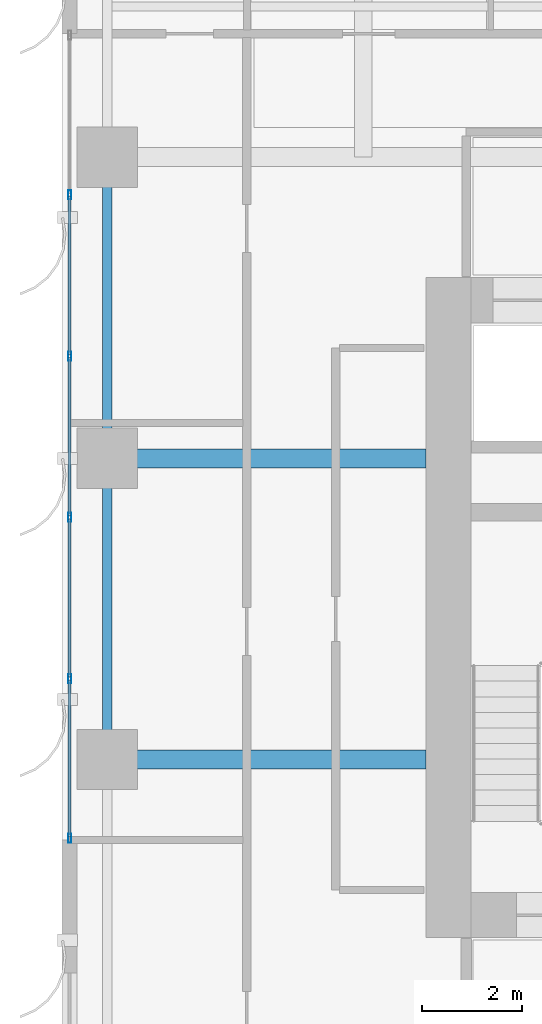
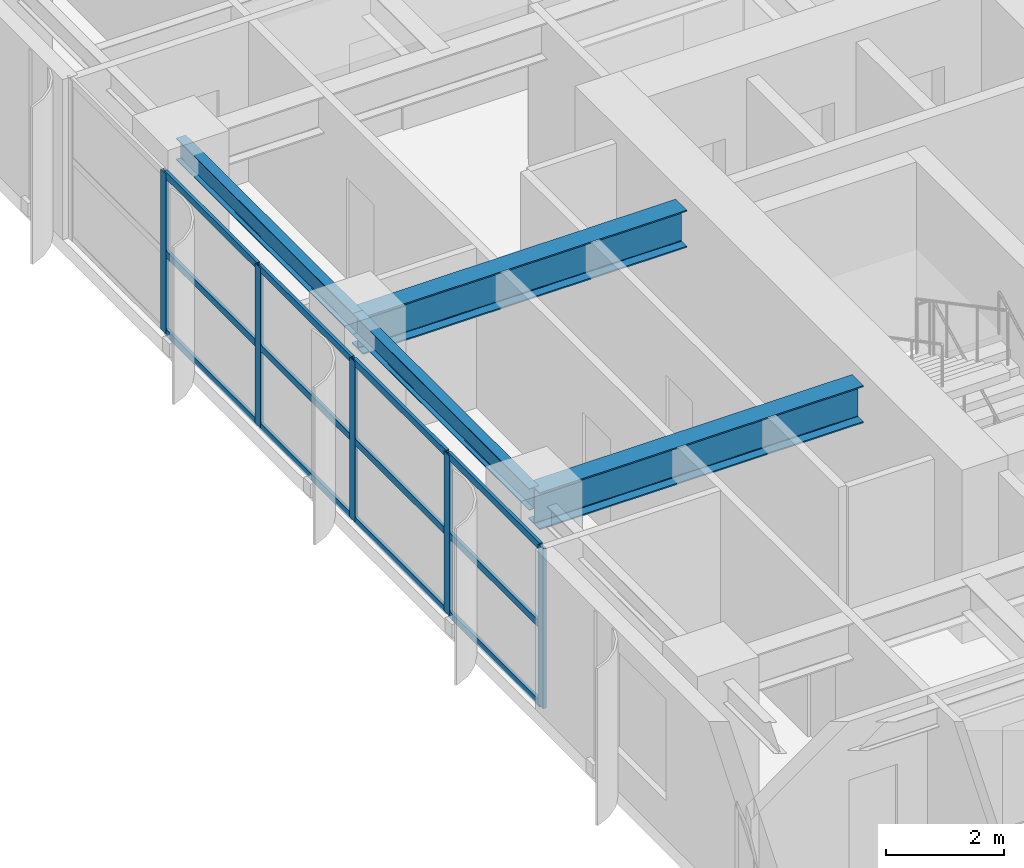
# One storey, part 5 of 23: 17 members, 4 beams, 1 element without a shape of its own.
"""IFC4 building model written with IfcOpenShell, lengths in metres."""

from ifc_helpers import new_model, si_unit, direction, frame, origin, origin_2d, place, context, subcontext, project, spatial, hollow_rectangle, i_section, extrude, source, transform, mapped, material, layer, layer_set, material_profile, profile_set, type_object, element, aggregate, save


model = new_model("IFC4")

# Units and contexts
model_context = context("Model", 3, precision=1e-05, world=origin(), true_north=direction((0.0, 1.0)))
body_context = subcontext(model_context, "Body", "Model", "MODEL_VIEW")
ifc_project = project(units=[si_unit("LENGTHUNIT", "METRE"), si_unit("AREAUNIT", "SQUARE_METRE"), si_unit("VOLUMEUNIT", "CUBIC_METRE"), si_unit("PLANEANGLEUNIT", "RADIAN"), si_unit("MASSUNIT", "GRAM", prefix="KILO")], contexts=[model_context])

# Site, building, storey
site_placement = place(None, origin())
site = spatial("IfcSite", under=ifc_project, at=site_placement, CompositionType="ELEMENT")
building_placement = place(site_placement, origin())
building = spatial("IfcBuilding", under=site, at=building_placement, Name="Khoralis Quay Care Tower", CompositionType="ELEMENT")
storey_placement = place(building_placement, frame((0.0, 0.0, 33.300048828125)))
storey = spatial("IfcBuildingStorey", under=building, at=storey_placement, Name="L08", CompositionType="ELEMENT", Elevation=33.300048828125)

# Beams
ifc_material_1 = material(Name="Steel S355", Category="steel")
ifc_material_profile_1 = material_profile(ifc_material_1, i_section(OverallWidth=0.18994140625, OverallDepth=0.449951171875, WebThickness=0.009521484375, FlangeThickness=0.0146484375, FilletRadius=0.02099609375, at=origin_2d()), Name="Steel S355")
ifc_profile_set_1 = profile_set([ifc_material_profile_1], Name="Steel S355")
beam_type_1 = type_object("IfcBeamType", Name="BM-IPE450", PredefinedType="SPANDREL", material=ifc_profile_set_1)
shared_shape_1 = source(origin(), body_context, "Body", "SweptSolid", [
    extrude(i_section(OverallWidth=0.18994140625, OverallDepth=0.449951171875, WebThickness=0.009521484375, FlangeThickness=0.0146484375, FilletRadius=0.02099609375, at=origin_2d()), origin(), (0.0, 0.0, 1.0), 6.0),
])
for number, where, z_axis, x_axis, name in (
    (1, (0.89990234375, 18.0, 3.094970703125), (0.0, 1.0, 0.0), (-1.0, 0.0, 0.0), "BM-TSP-L08-15"),
    (2, (0.89990234375, 24.0, 3.094970703125), (0.0, 1.0, 0.0), (-1.0, 0.0, 0.0), "BM-TSP-L08-16"),
):
    element("IfcBeam", number, at=place(storey_placement, frame(where, z_axis=z_axis, x_axis=x_axis)), inside=storey, type_object=beam_type_1, Name=name, PredefinedType="SPANDREL", context=body_context, shape_type="MappedRepresentation", body=[
        mapped(shared_shape_1, transform((0.0, 0.0, 0.0), scale=1.0)),
    ])
ifc_material_profile_2 = material_profile(ifc_material_1, i_section(OverallWidth=0.381103515625, OverallDepth=0.77294921875, WebThickness=0.0166015625, FlangeThickness=0.027587890625, FilletRadius=0.02197265625, at=origin_2d()), Name="Steel S355")
ifc_profile_set_2 = profile_set([ifc_material_profile_2], Name="Steel S355")
beam_type_2 = type_object("IfcBeamType", Name="BM-W760X257", PredefinedType="BEAM", material=ifc_profile_set_2)
shared_shape_2 = source(origin(), body_context, "Body", "SweptSolid", [
    extrude(i_section(OverallWidth=0.381103515625, OverallDepth=0.77294921875, WebThickness=0.0166015625, FlangeThickness=0.027587890625, FilletRadius=0.02197265625, at=origin_2d()), origin(), (0.0, 0.0, 1.0), 6.35205078125),
])
for number, where, z_axis, x_axis, name in (
    (3, (0.89990234375, 18.0, 2.933349609375), (1.0, 0.0, 0.0), (0.0, 1.0, 0.0), "BM-TGXW-L08-180"),
    (4, (0.89990234375, 24.0, 2.933349609375), (1.0, 0.0, 0.0), (0.0, 1.0, 0.0), "BM-TGXW-L08-240"),
):
    element("IfcBeam", number, at=place(storey_placement, frame(where, z_axis=z_axis, x_axis=x_axis)), inside=storey, type_object=beam_type_2, Name=name, PredefinedType="BEAM", context=body_context, shape_type="MappedRepresentation", body=[
        mapped(shared_shape_2, transform((0.0, 0.0, 0.0), scale=1.0)),
    ])

# Curtain wall, members
ifc_material_2 = material(Name="Pale anodised aluminium", Category="aluminium")
ifc_layer = layer(ifc_material_2, 0.179931640625)
ifc_layer_set = layer_set([ifc_layer], Name="Pale anodised aluminium")
curtain_wall_type = type_object("IfcCurtainWallType", Name="CW-SYS-Z1", PredefinedType="NOTDEFINED", material=ifc_layer_set)
curtain_wall_placement = place(storey_placement, origin())
curtain_wall = element("IfcCurtainWall", 5, at=curtain_wall_placement, inside=storey, type_object=curtain_wall_type, Name="L08 Unitised Curtain Wall CW-L08-P1-E15", PredefinedType="NOTDEFINED")
ifc_material_profile_3 = material_profile(ifc_material_2, hollow_rectangle(XDim=0.06494140625, YDim=0.179931640625, WallThickness=0.00390625, at=origin_2d()), Name="Pale anodised aluminium")
ifc_profile_set_3 = profile_set([ifc_material_profile_3], Name="Pale anodised aluminium")
member_type_1 = type_object("IfcMemberType", Name="CW-MUL-180", PredefinedType="MULLION", material=ifc_profile_set_3)
shared_shape_3 = source(origin(), body_context, "Body", "SweptSolid", [
    extrude(hollow_rectangle(XDim=0.06494140625, YDim=0.179931640625, WallThickness=0.00390625, at=origin_2d()), origin(), (0.0, 0.0, 1.0), 3.320068359375),
])
member_1_placement = place(storey_placement, frame((0.14990234375, 29.248046875, 0.0), z_axis=(0.0, 0.0, 1.0), x_axis=(1.0, 0.0, 0.0)))
member_1 = element("IfcMember", 6, at=member_1_placement, type_object=member_type_1, Name="CW1 mullion 2", PredefinedType="MULLION", context=body_context, shape_type="MappedRepresentation", body=[
    mapped(shared_shape_3, transform((0.0, 0.0, 0.0), scale=1.0)),
])
member_2_placement = place(storey_placement, frame((0.14990234375, 26.035888671875, 0.0), z_axis=(0.0, 0.0, 1.0), x_axis=(1.0, 0.0, 0.0)))
member_2 = element("IfcMember", 7, at=member_2_placement, type_object=member_type_1, Name="CW1 mullion 3", PredefinedType="MULLION", context=body_context, shape_type="MappedRepresentation", body=[
    mapped(shared_shape_3, transform((0.0, 0.0, 0.0), scale=1.0)),
])
member_3_placement = place(storey_placement, frame((0.14990234375, 22.823974609375, 0.0), z_axis=(0.0, 0.0, 1.0), x_axis=(1.0, 0.0, 0.0)))
member_3 = element("IfcMember", 8, at=member_3_placement, type_object=member_type_1, Name="CW1 mullion 4", PredefinedType="MULLION", context=body_context, shape_type="MappedRepresentation", body=[
    mapped(shared_shape_3, transform((0.0, 0.0, 0.0), scale=1.0)),
])
member_4_placement = place(storey_placement, frame((0.14990234375, 19.612060546875, 0.0), z_axis=(0.0, 0.0, 1.0), x_axis=(1.0, 0.0, 0.0)))
member_4 = element("IfcMember", 9, at=member_4_placement, type_object=member_type_1, Name="CW1 mullion 5", PredefinedType="MULLION", context=body_context, shape_type="MappedRepresentation", body=[
    mapped(shared_shape_3, transform((0.0, 0.0, 0.0), scale=1.0)),
])
member_5_placement = place(storey_placement, frame((0.14990234375, 16.429931640625, 0.0), z_axis=(0.0, 0.0, 1.0), x_axis=(1.0, 0.0, 0.0)))
member_5 = element("IfcMember", 10, at=member_5_placement, type_object=member_type_1, Name="CW1 mullion 6", PredefinedType="MULLION", context=body_context, shape_type="MappedRepresentation", body=[
    mapped(shared_shape_3, transform((0.0, 0.0, 0.0), scale=1.0)),
])
ifc_material_profile_4 = material_profile(ifc_material_2, hollow_rectangle(XDim=0.06005859375, YDim=0.139892578125, WallThickness=0.00390625, at=origin_2d()), Name="Pale anodised aluminium")
ifc_profile_set_4 = profile_set([ifc_material_profile_4], Name="Pale anodised aluminium")
member_type_2 = type_object("IfcMemberType", Name="CW-TRN-140", PredefinedType="USERDEFINED", material=ifc_profile_set_4)
shared_shape_4 = source(origin(), body_context, "Body", "SweptSolid", [
    extrude(hollow_rectangle(XDim=0.06005859375, YDim=0.139892578125, WallThickness=0.00390625, at=origin_2d()), origin(), (0.0, 0.0, 1.0), 3.1220703125),
])
member_6_placement = place(storey_placement, frame((0.14990234375, 19.58203125, 0.030029296875), z_axis=(0.0, -1.0, 0.0), x_axis=(1.0, 0.0, 0.0)))
member_6 = element("IfcMember", 11, at=member_6_placement, type_object=member_type_2, Name="CW1 transom 5.1", ObjectType="TRANSOM", PredefinedType="USERDEFINED", context=body_context, shape_type="MappedRepresentation", body=[
    mapped(shared_shape_4, transform((0.0, 0.0, 0.0), scale=1.0)),
])
member_7_placement = place(storey_placement, frame((0.14990234375, 19.58203125, 1.659912109375), z_axis=(0.0, -1.0, 0.0), x_axis=(1.0, 0.0, 0.0)))
member_7 = element("IfcMember", 12, at=member_7_placement, type_object=member_type_2, Name="CW1 transom 5.2", ObjectType="TRANSOM", PredefinedType="USERDEFINED", context=body_context, shape_type="MappedRepresentation", body=[
    mapped(shared_shape_4, transform((0.0, 0.0, 0.0), scale=1.0)),
])
member_8_placement = place(storey_placement, frame((0.14990234375, 19.58203125, 3.2900390625), z_axis=(0.0, -1.0, 0.0), x_axis=(1.0, 0.0, 0.0)))
member_8 = element("IfcMember", 13, at=member_8_placement, type_object=member_type_2, Name="CW1 transom 5.3", ObjectType="TRANSOM", PredefinedType="USERDEFINED", context=body_context, shape_type="MappedRepresentation", body=[
    mapped(shared_shape_4, transform((0.0, 0.0, 0.0), scale=1.0)),
])
shared_shape_5 = source(origin(), body_context, "Body", "SweptSolid", [
    extrude(hollow_rectangle(XDim=0.06005859375, YDim=0.139892578125, WallThickness=0.00390625, at=origin_2d()), origin(), (0.0, 0.0, 1.0), 3.15185546875),
])
member_9_placement = place(storey_placement, frame((0.14990234375, 22.7939453125, 0.030029296875), z_axis=(0.0, -1.0, 0.0), x_axis=(1.0, 0.0, 0.0)))
member_9 = element("IfcMember", 14, at=member_9_placement, type_object=member_type_2, Name="CW1 transom 4.1", ObjectType="TRANSOM", PredefinedType="USERDEFINED", context=body_context, shape_type="MappedRepresentation", body=[
    mapped(shared_shape_5, transform((0.0, 0.0, 0.0), scale=1.0)),
])
member_10_placement = place(storey_placement, frame((0.14990234375, 22.7939453125, 1.659912109375), z_axis=(0.0, -1.0, 0.0), x_axis=(1.0, 0.0, 0.0)))
member_10 = element("IfcMember", 15, at=member_10_placement, type_object=member_type_2, Name="CW1 transom 4.2", ObjectType="TRANSOM", PredefinedType="USERDEFINED", context=body_context, shape_type="MappedRepresentation", body=[
    mapped(shared_shape_5, transform((0.0, 0.0, 0.0), scale=1.0)),
])
member_11_placement = place(storey_placement, frame((0.14990234375, 22.7939453125, 3.2900390625), z_axis=(0.0, -1.0, 0.0), x_axis=(1.0, 0.0, 0.0)))
member_11 = element("IfcMember", 16, at=member_11_placement, type_object=member_type_2, Name="CW1 transom 4.3", ObjectType="TRANSOM", PredefinedType="USERDEFINED", context=body_context, shape_type="MappedRepresentation", body=[
    mapped(shared_shape_5, transform((0.0, 0.0, 0.0), scale=1.0)),
])
shared_shape_6 = source(origin(), body_context, "Body", "SweptSolid", [
    extrude(hollow_rectangle(XDim=0.06005859375, YDim=0.139892578125, WallThickness=0.00390625, at=origin_2d()), origin(), (0.0, 0.0, 1.0), 3.152099609375),
])
member_12_placement = place(storey_placement, frame((0.14990234375, 29.218017578125, 0.030029296875), z_axis=(0.0, -1.0, 0.0), x_axis=(1.0, 0.0, 0.0)))
member_12 = element("IfcMember", 17, at=member_12_placement, type_object=member_type_2, Name="CW1 transom 2.1", ObjectType="TRANSOM", PredefinedType="USERDEFINED", context=body_context, shape_type="MappedRepresentation", body=[
    mapped(shared_shape_6, transform((0.0, 0.0, 0.0), scale=1.0)),
])
member_13_placement = place(storey_placement, frame((0.14990234375, 29.218017578125, 1.659912109375), z_axis=(0.0, -1.0, 0.0), x_axis=(1.0, 0.0, 0.0)))
member_13 = element("IfcMember", 18, at=member_13_placement, type_object=member_type_2, Name="CW1 transom 2.2", ObjectType="TRANSOM", PredefinedType="USERDEFINED", context=body_context, shape_type="MappedRepresentation", body=[
    mapped(shared_shape_6, transform((0.0, 0.0, 0.0), scale=1.0)),
])
member_14_placement = place(storey_placement, frame((0.14990234375, 29.218017578125, 3.2900390625), z_axis=(0.0, -1.0, 0.0), x_axis=(1.0, 0.0, 0.0)))
member_14 = element("IfcMember", 19, at=member_14_placement, type_object=member_type_2, Name="CW1 transom 2.3", ObjectType="TRANSOM", PredefinedType="USERDEFINED", context=body_context, shape_type="MappedRepresentation", body=[
    mapped(shared_shape_6, transform((0.0, 0.0, 0.0), scale=1.0)),
])
member_15_placement = place(storey_placement, frame((0.14990234375, 26.006103515625, 0.030029296875), z_axis=(0.0, -1.0, 0.0), x_axis=(1.0, 0.0, 0.0)))
member_15 = element("IfcMember", 20, at=member_15_placement, type_object=member_type_2, Name="CW1 transom 3.1", ObjectType="TRANSOM", PredefinedType="USERDEFINED", context=body_context, shape_type="MappedRepresentation", body=[
    mapped(shared_shape_6, transform((0.0, 0.0, 0.0), scale=1.0)),
])
member_16_placement = place(storey_placement, frame((0.14990234375, 26.006103515625, 1.659912109375), z_axis=(0.0, -1.0, 0.0), x_axis=(1.0, 0.0, 0.0)))
member_16 = element("IfcMember", 21, at=member_16_placement, type_object=member_type_2, Name="CW1 transom 3.2", ObjectType="TRANSOM", PredefinedType="USERDEFINED", context=body_context, shape_type="MappedRepresentation", body=[
    mapped(shared_shape_6, transform((0.0, 0.0, 0.0), scale=1.0)),
])
member_17_placement = place(storey_placement, frame((0.14990234375, 26.006103515625, 3.2900390625), z_axis=(0.0, -1.0, 0.0), x_axis=(1.0, 0.0, 0.0)))
member_17 = element("IfcMember", 22, at=member_17_placement, type_object=member_type_2, Name="CW1 transom 3.3", ObjectType="TRANSOM", PredefinedType="USERDEFINED", context=body_context, shape_type="MappedRepresentation", body=[
    mapped(shared_shape_6, transform((0.0, 0.0, 0.0), scale=1.0)),
])
aggregate(curtain_wall, [member_1, member_2, member_3, member_4, member_5, member_12, member_13, member_14, member_15, member_16, member_17, member_9, member_10, member_11, member_6, member_7, member_8])

save(model, "model.ifc")
